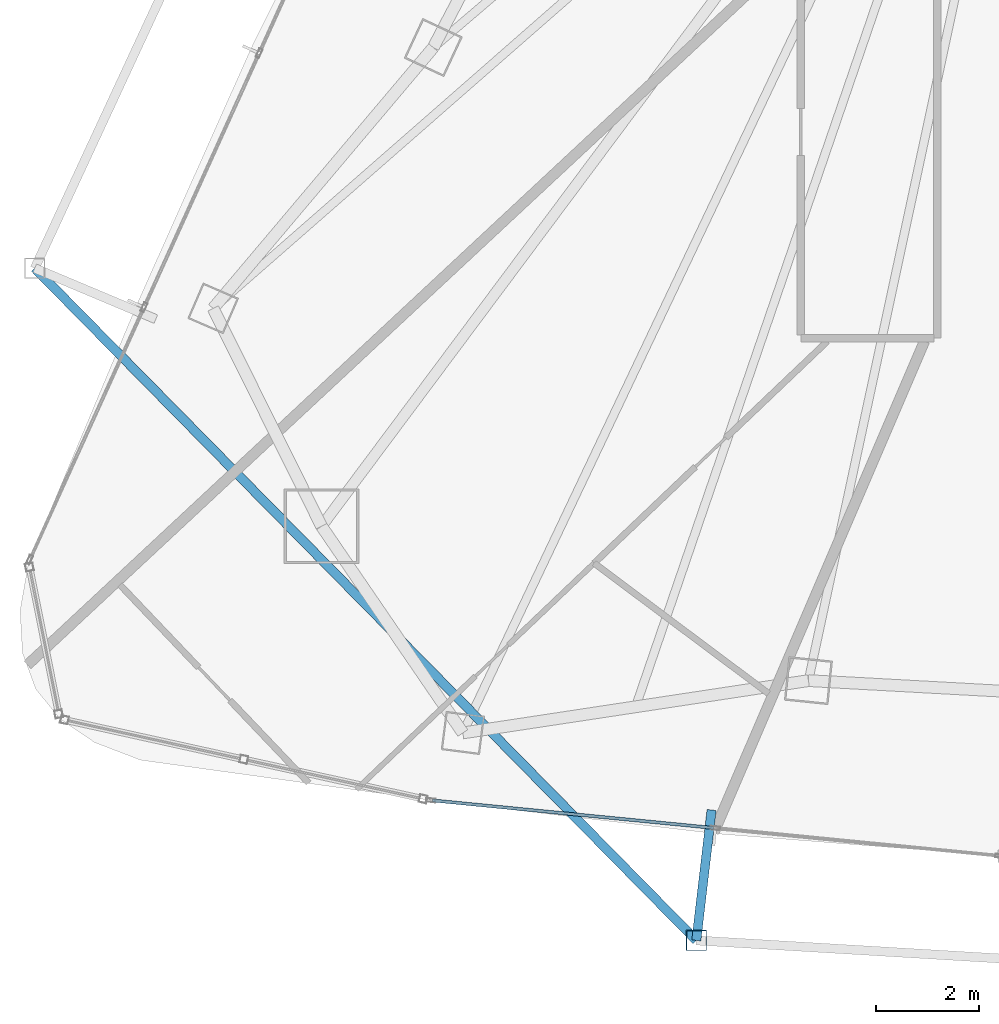
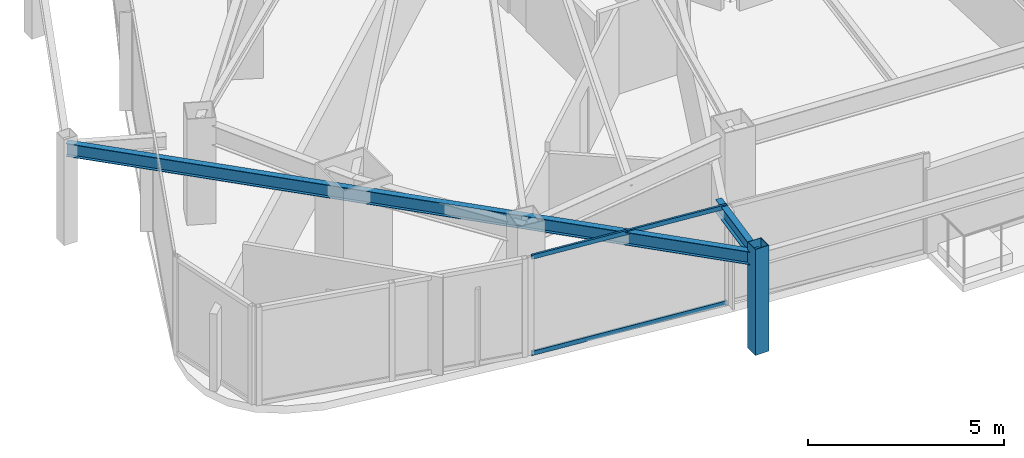
# One storey, part 3 of 29: 3 members, 2 beams, 1 element without a shape of its own.
"""IFC4 building model written with IfcOpenShell, lengths in metres."""

from ifc_helpers import new_model, si_unit, direction, frame, origin, origin_2d, place, context, subcontext, project, spatial, hollow_rectangle, i_section, extrude, material, layer, layer_set, material_profile, profile_set, type_object, element, aggregate, save


model = new_model("IFC4")

# Units and contexts
model_context = context("Model", 3, precision=1e-05, world=origin(), true_north=direction((0.0, 1.0)))
body_context = subcontext(model_context, "Body", "Model", "MODEL_VIEW")
ifc_project = project(units=[si_unit("LENGTHUNIT", "METRE"), si_unit("AREAUNIT", "SQUARE_METRE"), si_unit("VOLUMEUNIT", "CUBIC_METRE"), si_unit("PLANEANGLEUNIT", "RADIAN"), si_unit("MASSUNIT", "GRAM", prefix="KILO")], contexts=[model_context])

# Site, building, storey
site_placement = place(None, origin())
site = spatial("IfcSite", under=ifc_project, at=site_placement, CompositionType="ELEMENT")
building_placement = place(site_placement, origin())
building = spatial("IfcBuilding", under=site, at=building_placement, Name="Orvanel Arch Residences", CompositionType="ELEMENT")
storey_placement = place(building_placement, frame((0.0, 0.0, 173.75)))
storey = spatial("IfcBuildingStorey", under=building, at=storey_placement, Name="L49", CompositionType="ELEMENT", Elevation=173.75)

# Beams
ifc_material_1 = material(Name="Structural steel AS/NZS 3679.1 Grade 300 (300 MPa)", Category="steel")
ifc_material_profile_1 = material_profile(ifc_material_1, i_section(OverallWidth=0.177978515625, OverallDepth=0.406005859375, WebThickness=0.0078125, FlangeThickness=0.0126953125, at=origin_2d()), Name="410UB59.7")
ifc_profile_set_1 = profile_set([ifc_material_profile_1], Name="Structural steel AS/NZS 3679.1 Grade 300 (300 MPa)")
beam_type = type_object("IfcBeamType", Name="OB-410UB-EXT", PredefinedType="SPANDREL", material=ifc_profile_set_1)
beam_1_placement = place(storey_placement, frame((8.632080078125, 15.35888671875, 2.85693359375), z_axis=(0.701456301803, -0.712712464224, 0.0), x_axis=(0.712712464224, 0.701456301803, 0.0)))
element("IfcBeam", 1, at=beam_1_placement, inside=storey, type_object=beam_type, Name="L49 Outer Perimeter Floor Ring Beam 04", PredefinedType="SPANDREL", context=body_context, shape_type="SweptSolid", body=[
    extrude(i_section(OverallWidth=0.177978515625, OverallDepth=0.406005859375, WebThickness=0.0078125, FlangeThickness=0.0126953125, at=origin_2d()), origin(), (0.0, 0.0, 1.0), 18.305908203125),
])
beam_2_placement = place(storey_placement, frame((21.77001953125, 4.843994140625, 2.85693359375), z_axis=(-0.11654675499, -0.993185206244, 0.0), x_axis=(0.993185206244, -0.11654675499, 0.0)))
element("IfcBeam", 2, at=beam_2_placement, inside=storey, type_object=beam_type, Name="L49 Outer Frame Radial Tie Beam 05", PredefinedType="SPANDREL", context=body_context, shape_type="SweptSolid", body=[
    extrude(i_section(OverallWidth=0.177978515625, OverallDepth=0.406005859375, WebThickness=0.0078125, FlangeThickness=0.0126953125, at=origin_2d()), origin(), (0.0, 0.0, 1.0), 2.54931640625),
])

# Member
ifc_material_2 = material(Name="Structural steel AS/NZS 1163 C450L0 (Grade 450)", Category="steel")
ifc_material_profile_2 = material_profile(ifc_material_2, hollow_rectangle(XDim=0.39990234375, YDim=0.39990234375, WallThickness=0.01611328125, at=origin_2d()), Name="SHS400x400x16")
ifc_profile_set_2 = profile_set([ifc_material_profile_2], Name="Structural steel AS/NZS 1163 C450L0 (Grade 450)")
member_type_1 = type_object("IfcMemberType", Name="ST-400SHS-EXT", PredefinedType="STRUT", material=ifc_profile_set_2)
member_1_placement = place(storey_placement, frame((21.472900390625, 2.31201171875, 0.0), z_axis=(0.0, 0.0, 1.0), x_axis=(1.0, 0.0, 0.0)))
element("IfcMember", 3, at=member_1_placement, inside=storey, type_object=member_type_1, Name="L49 Outer Perimeter Frame Post 05", PredefinedType="STRUT", context=body_context, shape_type="SweptSolid", body=[
    extrude(hollow_rectangle(XDim=0.39990234375, YDim=0.39990234375, WallThickness=0.01611328125, at=origin_2d()), origin(), (0.0, 0.0, 1.0), 3.300048828125),
])

# Curtain wall, members
ifc_material_3 = material(Name="Bronze-anodised aluminium AA6063-T6", Category="aluminium")
ifc_layer = layer(ifc_material_3, 0.179931640625)
ifc_layer_set = layer_set([ifc_layer], Name="Bronze-anodised aluminium AA6063-T6")
curtain_wall_type = type_object("IfcCurtainWallType", Name="CW3-MID-SYS", PredefinedType="NOTDEFINED", material=ifc_layer_set)
curtain_wall_placement = place(storey_placement, origin())
curtain_wall = element("IfcCurtainWall", 4, at=curtain_wall_placement, inside=storey, type_object=curtain_wall_type, Name="L49 CW3-MID-SYS Unitised Curtain Wall", PredefinedType="NOTDEFINED")
ifc_material_profile_3 = material_profile(ifc_material_3, hollow_rectangle(XDim=0.06005859375, YDim=0.135009765625, WallThickness=0.00390625, at=origin_2d()), Name="ALU135x60x4")
ifc_profile_set_3 = profile_set([ifc_material_profile_3], Name="Bronze-anodised aluminium AA6063-T6")
member_type_2 = type_object("IfcMemberType", Name="TRN-135x60", PredefinedType="USERDEFINED", material=ifc_profile_set_3)
member_2_placement = place(storey_placement, frame((16.354736328125, 5.029296875, 0.030029296875), z_axis=(0.995233274278, -0.097522970473, 0.0), x_axis=(0.097522970473, 0.995233274278, 0.0)))
member_2 = element("IfcMember", 5, at=member_2_placement, type_object=member_type_2, Name="CW-S3 transom 1.1", ObjectType="TRANSOM", PredefinedType="USERDEFINED", context=body_context, shape_type="SweptSolid", body=[
    extrude(hollow_rectangle(XDim=0.06005859375, YDim=0.135009765625, WallThickness=0.00390625, at=origin_2d()), origin(), (0.0, 0.0, 1.0), 5.47998046875),
])
member_3_placement = place(storey_placement, frame((16.354736328125, 5.029296875, 3.030029296875), z_axis=(0.995233274278, -0.097522970473, 0.0), x_axis=(0.097522970473, 0.995233274278, 0.0)))
member_3 = element("IfcMember", 6, at=member_3_placement, type_object=member_type_2, Name="CW-S3 transom 1.2", ObjectType="TRANSOM", PredefinedType="USERDEFINED", context=body_context, shape_type="SweptSolid", body=[
    extrude(hollow_rectangle(XDim=0.06005859375, YDim=0.135009765625, WallThickness=0.00390625, at=origin_2d()), origin(), (0.0, 0.0, 1.0), 5.47998046875),
])
aggregate(curtain_wall, [member_2, member_3])

save(model, "model.ifc")
